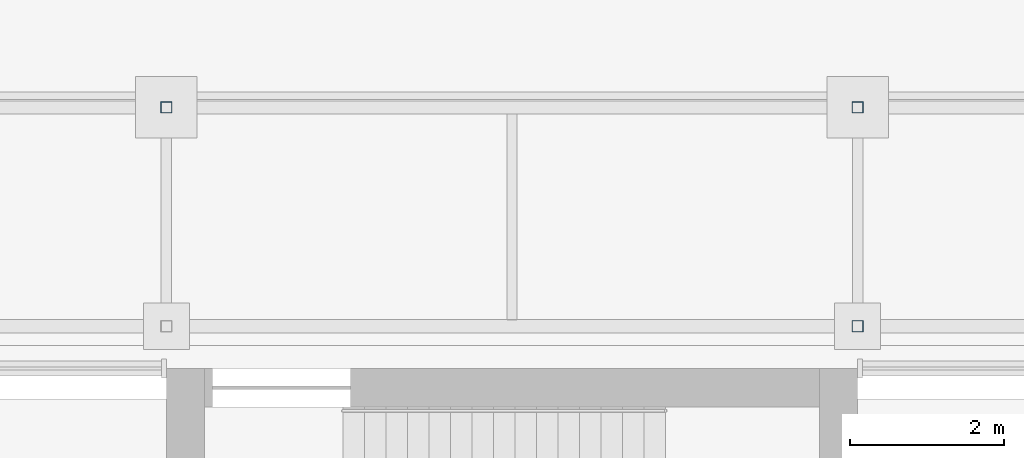
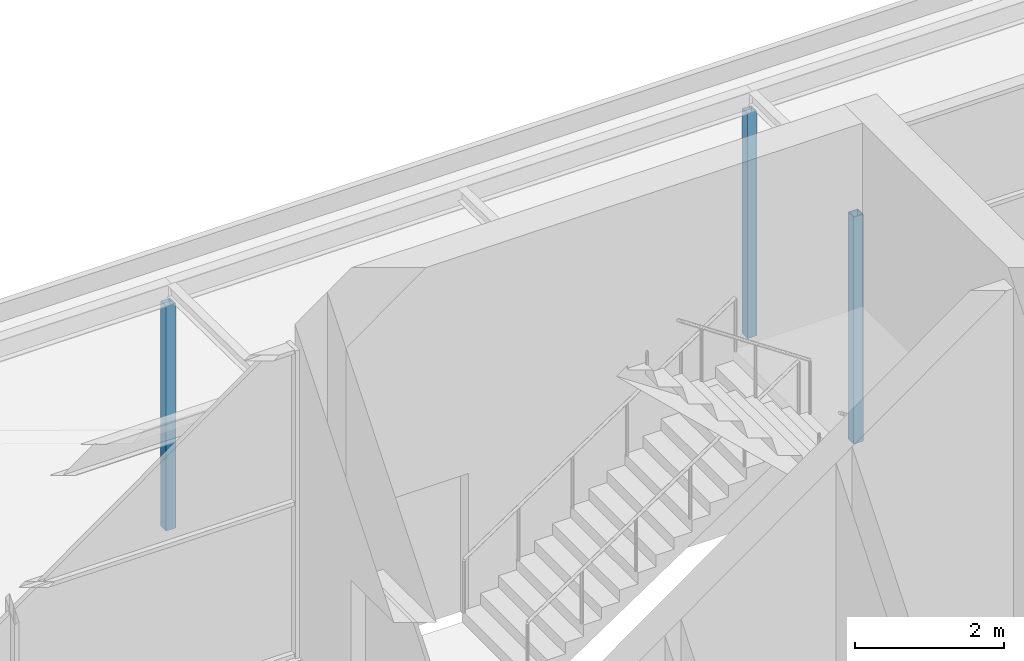
# One storey, part 18 of 97: 3 columns.
"""IFC4 building model written with IfcOpenShell, lengths in metres."""

from ifc_helpers import new_model, si_unit, direction, frame, origin, origin_2d, place, context, subcontext, project, spatial, hollow_rectangle, extrude, material, material_profile, profile_set, type_object, element, save


model = new_model("IFC4")

# Units and contexts
model_context = context("Model", 3, precision=1e-05, world=origin(), true_north=direction((0.0, 1.0)))
body_context = subcontext(model_context, "Body", "Model", "MODEL_VIEW")
ifc_project = project(units=[si_unit("LENGTHUNIT", "METRE"), si_unit("AREAUNIT", "SQUARE_METRE"), si_unit("VOLUMEUNIT", "CUBIC_METRE"), si_unit("PLANEANGLEUNIT", "RADIAN"), si_unit("MASSUNIT", "GRAM", prefix="KILO")], contexts=[model_context])

# Site, building, storey
site_placement = place(None, origin())
site = spatial("IfcSite", under=ifc_project, at=site_placement, CompositionType="ELEMENT")
building_placement = place(site_placement, origin())
building = spatial("IfcBuilding", under=site, at=building_placement, Name="Corbel Yard City Hall", CompositionType="ELEMENT")
storey_placement = place(building_placement, origin())
storey = spatial("IfcBuildingStorey", under=building, at=storey_placement, Name="L00", CompositionType="ELEMENT", Elevation=0.0)

# Columns
ifc_material = material(Name="Steel Grade C450L0", Category="steel")
ifc_material_profile = material_profile(ifc_material, hollow_rectangle(XDim=0.14990234375, YDim=0.14990234375, WallThickness=0.009033203125, at=origin_2d()), Name="150x150x9.0SHS")
ifc_profile_set = profile_set([ifc_material_profile], Name="Steel Grade C450L0")
column_type = type_object("IfcColumnType", Name="Awning Column 150x150x9.0SHS", PredefinedType="COLUMN", material=ifc_profile_set)
column_placement = place(storey_placement, frame((54.0, 117.550048828125, 0.0), z_axis=(0.0, 0.0, 1.0), x_axis=(1.0, 0.0, 0.0)))
element("IfcColumn", 1, at=column_placement, inside=storey, type_object=column_type, Name="Awning Column B06", PredefinedType="COLUMN", context=body_context, shape_type="SweptSolid", body=[
    extrude(hollow_rectangle(XDim=0.14990234375, YDim=0.14990234375, WallThickness=0.009033203125, at=origin_2d()), origin(), (0.0, 0.0, 1.0), 3.71484375),
])
for number, where, z_axis, x_axis, name in (
    (2, (45.0, 120.39990234375, 0.0), (0.0, 0.0, 1.0), (1.0, 0.0, 0.0), "Awning Column F05"),
    (3, (54.0, 120.39990234375, 0.0), (0.0, 0.0, 1.0), (1.0, 0.0, 0.0), "Awning Column F06"),
):
    element("IfcColumn", number, at=place(storey_placement, frame(where, z_axis=z_axis, x_axis=x_axis)), inside=storey, type_object=column_type, Name=name, PredefinedType="COLUMN", context=body_context, shape_type="SweptSolid", body=[
        extrude(hollow_rectangle(XDim=0.14990234375, YDim=0.14990234375, WallThickness=0.009033203125, at=origin_2d()), origin(), (0.0, 0.0, 1.0), 3.67919921875),
    ])

save(model, "model.ifc")
